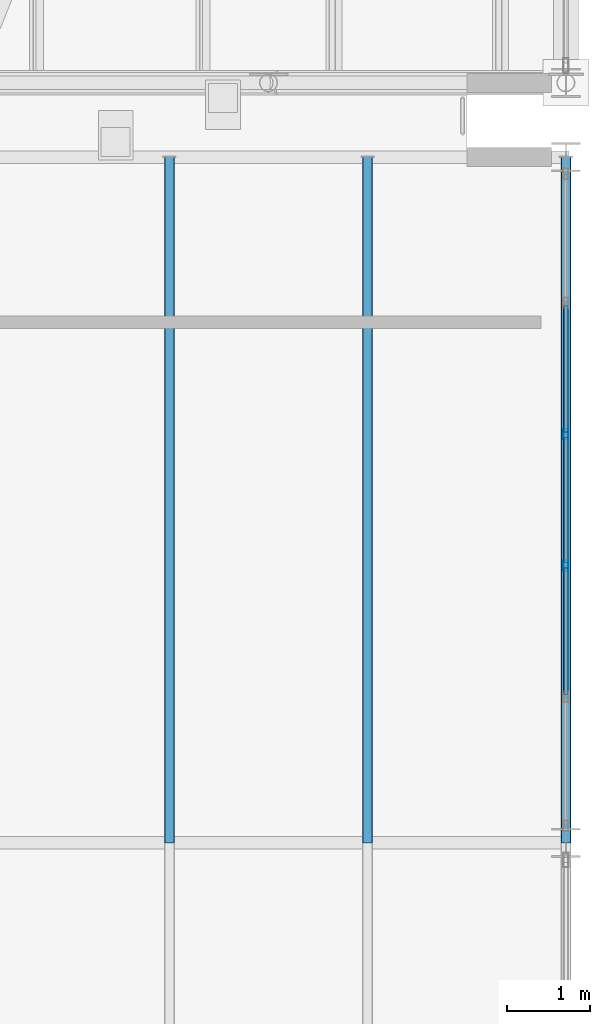
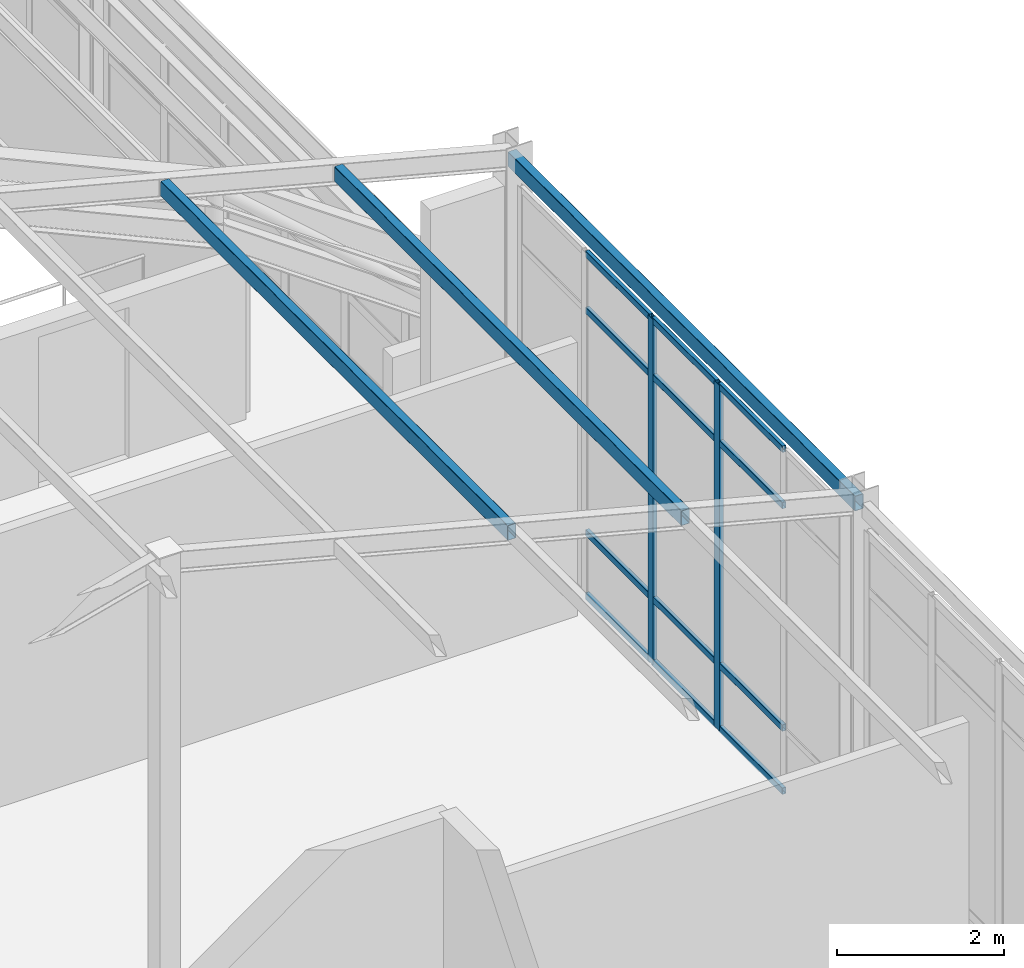
# One storey, part 23 of 121: 17 members, 1 element without a shape of its own.
"""IFC4 building model written with IfcOpenShell, lengths in metres."""

from ifc_helpers import new_model, si_unit, direction, frame, origin, origin_2d, place, context, subcontext, project, spatial, hollow_rectangle, extrude, material, material_profile, profile_set, type_object, element, aggregate, save


model = new_model("IFC4")

# Units and contexts
model_context = context("Model", 3, precision=1e-05, world=origin(), true_north=direction((0.0, 1.0)))
body_context = subcontext(model_context, "Body", "Model", "MODEL_VIEW")
ifc_project = project(units=[si_unit("LENGTHUNIT", "METRE"), si_unit("AREAUNIT", "SQUARE_METRE"), si_unit("VOLUMEUNIT", "CUBIC_METRE"), si_unit("PLANEANGLEUNIT", "RADIAN"), si_unit("MASSUNIT", "GRAM", prefix="KILO")], contexts=[model_context])

# Site, building, storey
site_placement = place(None, origin())
site = spatial("IfcSite", under=ifc_project, at=site_placement, CompositionType="ELEMENT")
building_placement = place(site_placement, origin())
building = spatial("IfcBuilding", under=site, at=building_placement, Name="Canglan Escarpment Cableway Terminal", CompositionType="ELEMENT")
storey_placement = place(building_placement, frame((0.0, 0.0, 24.60009765625)))
storey = spatial("IfcBuildingStorey", under=building, at=storey_placement, Name="L05", CompositionType="ELEMENT", Elevation=24.60009765625)

# Curtain wall, members
ifc_material_1 = material(Name="Anodized bronze aluminium and Low-E double glazing", Category="aluminium")
curtain_wall_type = type_object("IfcCurtainWallType", Name="CW-BAY-7950x5050", PredefinedType="NOTDEFINED", material=ifc_material_1)
curtain_wall_placement = place(storey_placement, origin())
curtain_wall = element("IfcCurtainWall", 1, at=curtain_wall_placement, inside=storey, type_object=curtain_wall_type, Name="Classical bay-between-piers glazed curtain wall CW-39", PredefinedType="NOTDEFINED")
ifc_material_2 = material(Name="Thermally broken anodized aluminium 6063-T6", Category="aluminium")
ifc_material_profile_1 = material_profile(ifc_material_2, hollow_rectangle(XDim=0.06005859375, YDim=0.1298828125, WallThickness=0.0029296875, InnerFilletRadius=0.0029296875, OuterFilletRadius=0.006103515625, at=origin_2d()), Name="ALU-MULL 60x130x3")
ifc_profile_set_1 = profile_set([ifc_material_profile_1], Name="Thermally broken anodized aluminium 6063-T6")
member_type_1 = type_object("IfcMemberType", Name="CWM-01", PredefinedType="MULLION", material=ifc_profile_set_1)
member_1_placement = place(storey_placement, frame((166.39990234375, 28.155029296875, 0.0), z_axis=(0.0, 0.0, 1.0), x_axis=(-1.0, 0.0, 0.0)))
member_1 = element("IfcMember", 2, at=member_1_placement, type_object=member_type_1, Name="CW-39 mullion 3", PredefinedType="MULLION", context=body_context, shape_type="SweptSolid", body=[
    extrude(hollow_rectangle(XDim=0.06005859375, YDim=0.1298828125, WallThickness=0.0029296875, InnerFilletRadius=0.0029296875, OuterFilletRadius=0.006103515625, at=origin_2d()), origin(), (0.0, 0.0, 1.0), 5.0498046875),
])
member_2_placement = place(storey_placement, frame((166.39990234375, 29.7451171875, 0.0), z_axis=(0.0, 0.0, 1.0), x_axis=(-1.0, 0.0, 0.0)))
member_2 = element("IfcMember", 3, at=member_2_placement, type_object=member_type_1, Name="CW-39 mullion 4", PredefinedType="MULLION", context=body_context, shape_type="SweptSolid", body=[
    extrude(hollow_rectangle(XDim=0.06005859375, YDim=0.1298828125, WallThickness=0.0029296875, InnerFilletRadius=0.0029296875, OuterFilletRadius=0.006103515625, at=origin_2d()), origin(), (0.0, 0.0, 1.0), 5.0498046875),
])
ifc_material_profile_2 = material_profile(ifc_material_2, hollow_rectangle(XDim=0.054931640625, YDim=0.094970703125, WallThickness=0.0029296875, InnerFilletRadius=0.0029296875, OuterFilletRadius=0.006103515625, at=origin_2d()), Name="ALU-TRAN 55x95x3")
ifc_profile_set_2 = profile_set([ifc_material_profile_2], Name="Thermally broken anodized aluminium 6063-T6")
member_type_2 = type_object("IfcMemberType", Name="CWT-01", PredefinedType="USERDEFINED", material=ifc_profile_set_2)
member_3_placement = place(storey_placement, frame((166.39990234375, 26.594970703125, 0.02734375), z_axis=(0.0, 1.0, 0.0), x_axis=(-1.0, 0.0, 0.0)))
member_3 = element("IfcMember", 4, at=member_3_placement, type_object=member_type_2, Name="CW-39 transom 2.1", ObjectType="TRANSOM", PredefinedType="USERDEFINED", context=body_context, shape_type="SweptSolid", body=[
    extrude(hollow_rectangle(XDim=0.054931640625, YDim=0.094970703125, WallThickness=0.0029296875, InnerFilletRadius=0.0029296875, OuterFilletRadius=0.006103515625, at=origin_2d()), origin(), (0.0, 0.0, 1.0), 1.530029296875),
])
member_4_placement = place(storey_placement, frame((166.39990234375, 26.594970703125, 0.949951171875), z_axis=(0.0, 1.0, 0.0), x_axis=(-1.0, 0.0, 0.0)))
member_4 = element("IfcMember", 5, at=member_4_placement, type_object=member_type_2, Name="CW-39 transom 2.2", ObjectType="TRANSOM", PredefinedType="USERDEFINED", context=body_context, shape_type="SweptSolid", body=[
    extrude(hollow_rectangle(XDim=0.054931640625, YDim=0.094970703125, WallThickness=0.0029296875, InnerFilletRadius=0.0029296875, OuterFilletRadius=0.006103515625, at=origin_2d()), origin(), (0.0, 0.0, 1.0), 1.530029296875),
])
member_5_placement = place(storey_placement, frame((166.39990234375, 26.594970703125, 4.199951171875), z_axis=(0.0, 1.0, 0.0), x_axis=(-1.0, 0.0, 0.0)))
member_5 = element("IfcMember", 6, at=member_5_placement, type_object=member_type_2, Name="CW-39 transom 2.3", ObjectType="TRANSOM", PredefinedType="USERDEFINED", context=body_context, shape_type="SweptSolid", body=[
    extrude(hollow_rectangle(XDim=0.054931640625, YDim=0.094970703125, WallThickness=0.0029296875, InnerFilletRadius=0.0029296875, OuterFilletRadius=0.006103515625, at=origin_2d()), origin(), (0.0, 0.0, 1.0), 1.530029296875),
])
member_6_placement = place(storey_placement, frame((166.39990234375, 26.594970703125, 5.0224609375), z_axis=(0.0, 1.0, 0.0), x_axis=(-1.0, 0.0, 0.0)))
member_6 = element("IfcMember", 7, at=member_6_placement, type_object=member_type_2, Name="CW-39 transom 2.4", ObjectType="TRANSOM", PredefinedType="USERDEFINED", context=body_context, shape_type="SweptSolid", body=[
    extrude(hollow_rectangle(XDim=0.054931640625, YDim=0.094970703125, WallThickness=0.0029296875, InnerFilletRadius=0.0029296875, OuterFilletRadius=0.006103515625, at=origin_2d()), origin(), (0.0, 0.0, 1.0), 1.530029296875),
])
member_7_placement = place(storey_placement, frame((166.39990234375, 28.18505859375, 0.02734375), z_axis=(0.0, 1.0, 0.0), x_axis=(-1.0, 0.0, 0.0)))
member_7 = element("IfcMember", 8, at=member_7_placement, type_object=member_type_2, Name="CW-39 transom 3.1", ObjectType="TRANSOM", PredefinedType="USERDEFINED", context=body_context, shape_type="SweptSolid", body=[
    extrude(hollow_rectangle(XDim=0.054931640625, YDim=0.094970703125, WallThickness=0.0029296875, InnerFilletRadius=0.0029296875, OuterFilletRadius=0.006103515625, at=origin_2d()), origin(), (0.0, 0.0, 1.0), 1.530029296875),
])
member_8_placement = place(storey_placement, frame((166.39990234375, 28.18505859375, 0.949951171875), z_axis=(0.0, 1.0, 0.0), x_axis=(-1.0, 0.0, 0.0)))
member_8 = element("IfcMember", 9, at=member_8_placement, type_object=member_type_2, Name="CW-39 transom 3.2", ObjectType="TRANSOM", PredefinedType="USERDEFINED", context=body_context, shape_type="SweptSolid", body=[
    extrude(hollow_rectangle(XDim=0.054931640625, YDim=0.094970703125, WallThickness=0.0029296875, InnerFilletRadius=0.0029296875, OuterFilletRadius=0.006103515625, at=origin_2d()), origin(), (0.0, 0.0, 1.0), 1.530029296875),
])
member_9_placement = place(storey_placement, frame((166.39990234375, 28.18505859375, 4.199951171875), z_axis=(0.0, 1.0, 0.0), x_axis=(-1.0, 0.0, 0.0)))
member_9 = element("IfcMember", 10, at=member_9_placement, type_object=member_type_2, Name="CW-39 transom 3.3", ObjectType="TRANSOM", PredefinedType="USERDEFINED", context=body_context, shape_type="SweptSolid", body=[
    extrude(hollow_rectangle(XDim=0.054931640625, YDim=0.094970703125, WallThickness=0.0029296875, InnerFilletRadius=0.0029296875, OuterFilletRadius=0.006103515625, at=origin_2d()), origin(), (0.0, 0.0, 1.0), 1.530029296875),
])
member_10_placement = place(storey_placement, frame((166.39990234375, 28.18505859375, 5.0224609375), z_axis=(0.0, 1.0, 0.0), x_axis=(-1.0, 0.0, 0.0)))
member_10 = element("IfcMember", 11, at=member_10_placement, type_object=member_type_2, Name="CW-39 transom 3.4", ObjectType="TRANSOM", PredefinedType="USERDEFINED", context=body_context, shape_type="SweptSolid", body=[
    extrude(hollow_rectangle(XDim=0.054931640625, YDim=0.094970703125, WallThickness=0.0029296875, InnerFilletRadius=0.0029296875, OuterFilletRadius=0.006103515625, at=origin_2d()), origin(), (0.0, 0.0, 1.0), 1.530029296875),
])
member_11_placement = place(storey_placement, frame((166.39990234375, 29.77490234375, 0.02734375), z_axis=(0.0, 1.0, 0.0), x_axis=(-1.0, 0.0, 0.0)))
member_11 = element("IfcMember", 12, at=member_11_placement, type_object=member_type_2, Name="CW-39 transom 4.1", ObjectType="TRANSOM", PredefinedType="USERDEFINED", context=body_context, shape_type="SweptSolid", body=[
    extrude(hollow_rectangle(XDim=0.054931640625, YDim=0.094970703125, WallThickness=0.0029296875, InnerFilletRadius=0.0029296875, OuterFilletRadius=0.006103515625, at=origin_2d()), origin(), (0.0, 0.0, 1.0), 1.530029296875),
])
member_12_placement = place(storey_placement, frame((166.39990234375, 29.77490234375, 0.949951171875), z_axis=(0.0, 1.0, 0.0), x_axis=(-1.0, 0.0, 0.0)))
member_12 = element("IfcMember", 13, at=member_12_placement, type_object=member_type_2, Name="CW-39 transom 4.2", ObjectType="TRANSOM", PredefinedType="USERDEFINED", context=body_context, shape_type="SweptSolid", body=[
    extrude(hollow_rectangle(XDim=0.054931640625, YDim=0.094970703125, WallThickness=0.0029296875, InnerFilletRadius=0.0029296875, OuterFilletRadius=0.006103515625, at=origin_2d()), origin(), (0.0, 0.0, 1.0), 1.530029296875),
])
member_13_placement = place(storey_placement, frame((166.39990234375, 29.77490234375, 4.199951171875), z_axis=(0.0, 1.0, 0.0), x_axis=(-1.0, 0.0, 0.0)))
member_13 = element("IfcMember", 14, at=member_13_placement, type_object=member_type_2, Name="CW-39 transom 4.3", ObjectType="TRANSOM", PredefinedType="USERDEFINED", context=body_context, shape_type="SweptSolid", body=[
    extrude(hollow_rectangle(XDim=0.054931640625, YDim=0.094970703125, WallThickness=0.0029296875, InnerFilletRadius=0.0029296875, OuterFilletRadius=0.006103515625, at=origin_2d()), origin(), (0.0, 0.0, 1.0), 1.530029296875),
])
member_14_placement = place(storey_placement, frame((166.39990234375, 29.77490234375, 5.0224609375), z_axis=(0.0, 1.0, 0.0), x_axis=(-1.0, 0.0, 0.0)))
member_14 = element("IfcMember", 15, at=member_14_placement, type_object=member_type_2, Name="CW-39 transom 4.4", ObjectType="TRANSOM", PredefinedType="USERDEFINED", context=body_context, shape_type="SweptSolid", body=[
    extrude(hollow_rectangle(XDim=0.054931640625, YDim=0.094970703125, WallThickness=0.0029296875, InnerFilletRadius=0.0029296875, OuterFilletRadius=0.006103515625, at=origin_2d()), origin(), (0.0, 0.0, 1.0), 1.530029296875),
])
aggregate(curtain_wall, [member_1, member_2, member_3, member_4, member_5, member_6, member_7, member_8, member_9, member_10, member_11, member_12, member_13, member_14])

# Members
ifc_material_3 = material(Name="Steel Q355B", Category="steel")
ifc_material_profile_3 = material_profile(ifc_material_3, hollow_rectangle(XDim=0.1201171875, YDim=0.219970703125, WallThickness=0.006103515625, InnerFilletRadius=0.006103515625, OuterFilletRadius=0.011962890625, at=origin_2d()), Name="RHS 220x120x6")
ifc_profile_set_3 = profile_set([ifc_material_profile_3], Name="Steel Q355B")
member_type_3 = type_object("IfcMemberType", Name="MB-PAV-PUR-RHS220", PredefinedType="PURLIN", material=ifc_profile_set_3)
for number, where, z_axis, x_axis, name in (
    (16, (161.60009765625, 24.800048828125, 6.579833984375), (0.0, 1.0, 0.0), (-1.0, 0.0, 0.0), "Pedimented pavilion purlin PR-03"),
    (17, (164.0, 24.800048828125, 5.954833984375), (0.0, 1.0, 0.0), (-1.0, 0.0, 0.0), "Pedimented pavilion purlin PR-03"),
    (18, (166.39990234375, 24.800048828125, 5.329833984375), (0.0, 1.0, 0.0), (-1.0, 0.0, 0.0), "Pedimented pavilion purlin PR-03"),
):
    element("IfcMember", number, at=place(storey_placement, frame(where, z_axis=z_axis, x_axis=x_axis)), inside=storey, type_object=member_type_3, Name=name, PredefinedType="PURLIN", context=body_context, shape_type="SweptSolid", body=[
        extrude(hollow_rectangle(XDim=0.1201171875, YDim=0.219970703125, WallThickness=0.006103515625, InnerFilletRadius=0.006103515625, OuterFilletRadius=0.011962890625, at=origin_2d()), origin(), (0.0, 0.0, 1.0), 8.300048828125),
    ])

save(model, "model.ifc")
